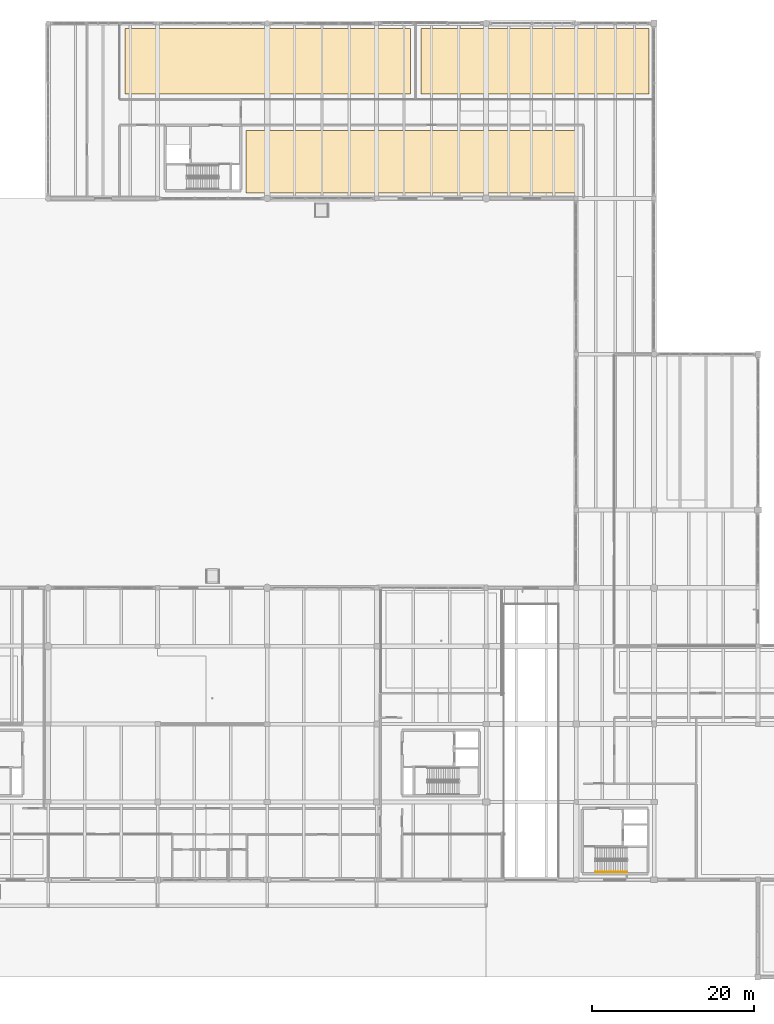
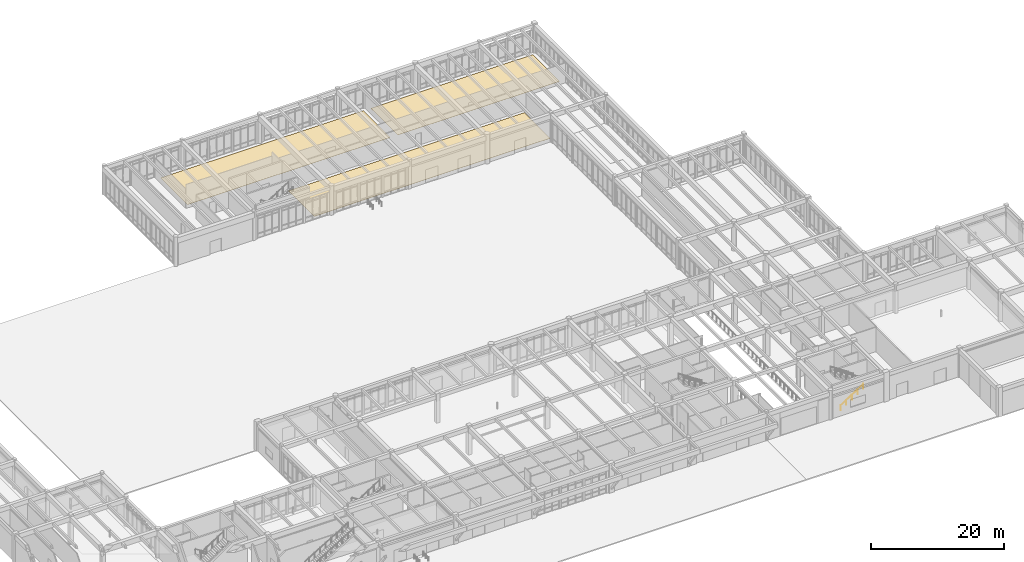
# One storey, part 135 of 138: 3 coverings, 1 railing.
"""IFC4 building model written with IfcOpenShell, lengths in metres."""

from ifc_helpers import new_model, si_unit, direction, frame, origin, origin_2d, place, context, subcontext, project, spatial, polyline, circle, outline, extrude, material, layer, layer_set, type_object, element, save


model = new_model("IFC4")

# Units and contexts
model_context = context("Model", 3, precision=1e-05, world=origin(), true_north=direction((0.0, 1.0)))
body_context = subcontext(model_context, "Body", "Model", "MODEL_VIEW")
ifc_project = project(units=[si_unit("LENGTHUNIT", "METRE"), si_unit("AREAUNIT", "SQUARE_METRE"), si_unit("VOLUMEUNIT", "CUBIC_METRE"), si_unit("PLANEANGLEUNIT", "RADIAN"), si_unit("MASSUNIT", "GRAM", prefix="KILO")], contexts=[model_context])

# Site, building, storey
site_placement = place(None, origin())
site = spatial("IfcSite", under=ifc_project, at=site_placement, CompositionType="ELEMENT")
building_placement = place(site_placement, origin())
building = spatial("IfcBuilding", under=site, at=building_placement, Name="Fikremerkos Civic Library", CompositionType="ELEMENT")
storey_placement = place(building_placement, origin())
storey = spatial("IfcBuildingStorey", under=building, at=storey_placement, Name="L00", CompositionType="ELEMENT", Elevation=0.0)

# Coverings
ifc_material_1 = material(Name="Polished basalt terrazzo", Category="masonry")
ifc_layer = layer(ifc_material_1, 0.030029296875, Name="Polished basalt terrazzo")
ifc_layer_set = layer_set([ifc_layer], Name="Polished basalt terrazzo")
covering_type = type_object("IfcCoveringType", Name="Polished basalt terrazzo flooring FLR-01", PredefinedType="FLOORING", material=ifc_layer_set)
covering_1_placement = place(storey_placement, origin())
element("IfcCovering", 1, at=covering_1_placement, inside=storey, type_object=covering_type, Name="Terrazzo floor finish Children's Library Hall", PredefinedType="FLOORING", context=body_context, shape_type="SweptSolid", body=[
    extrude(outline(polyline([(69.14990234375, 116.949951171875), (104.35009765625, 116.949951171875), (104.35009765625, 108.85009765625), (69.14990234375, 108.85009765625), (69.14990234375, 116.949951171875)])), origin(), (0.0, 0.0, 1.0), 0.030029296875),
])
covering_2_placement = place(storey_placement, origin())
element("IfcCovering", 2, at=covering_2_placement, inside=storey, type_object=covering_type, Name="Terrazzo floor finish Storytelling Room", PredefinedType="FLOORING", context=body_context, shape_type="SweptSolid", body=[
    extrude(outline(polyline([(105.64990234375, 116.949951171875), (133.75, 116.949951171875), (133.75, 108.85009765625), (105.64990234375, 108.85009765625), (105.64990234375, 116.949951171875)])), origin(), (0.0, 0.0, 1.0), 0.030029296875),
])
covering_3_placement = place(storey_placement, origin())
element("IfcCovering", 3, at=covering_3_placement, inside=storey, type_object=covering_type, Name="Terrazzo floor finish Youth Maker Studio", PredefinedType="FLOORING", context=body_context, shape_type="SweptSolid", body=[
    extrude(outline(polyline([(84.10009765625, 104.39990234375), (125.050048828125, 104.39990234375), (125.050048828125, 96.64990234375), (84.10009765625, 96.64990234375), (84.10009765625, 104.39990234375)])), origin(), (0.0, 0.0, 1.0), 0.030029296875),
])

# Railing
ifc_material_2 = material(Name="Brushed stainless steel", Category="steel")
railing_type = type_object("IfcRailingType", Name="Wall and flight handrail HRL-01 900", PredefinedType="HANDRAIL", material=ifc_material_2)
railing_placement = place(storey_placement, frame((127.14990234375, 12.949951171875, 0.179931640625)))
element("IfcRailing", 4, at=railing_placement, inside=storey, type_object=railing_type, Name="L00 ST-K4 stair handrail 1", PredefinedType="HANDRAIL", context=body_context, shape_type="SweptSolid", body=[
    extrude(circle(Radius=0.02392578125, at=origin_2d()), frame((0.0, 0.0, 0.8759765625), z_axis=(0.841186985886, 0.0, 0.540744352514), x_axis=(0.0, 1.0, 0.0)), (0.0, 0.0, 1.0), 4.660400390625),
    extrude(circle(Radius=0.02099609375, at=origin_2d()), origin(), (0.0, 0.0, 1.0), 0.851806640625),
    extrude(circle(Radius=0.02099609375, at=origin_2d()), frame((0.97998046875, 0.0, 0.6298828125)), (0.0, 0.0, 1.0), 0.851806640625),
    extrude(circle(Radius=0.02099609375, at=origin_2d()), frame((1.9599609375, 0.0, 1.260009765625)), (0.0, 0.0, 1.0), 0.851806640625),
    extrude(circle(Radius=0.02099609375, at=origin_2d()), frame((2.940185546875, 0.0, 1.89013671875)), (0.0, 0.0, 1.0), 0.851806640625),
    extrude(circle(Radius=0.02099609375, at=origin_2d()), frame((3.920166015625, 0.0, 2.52001953125)), (0.0, 0.0, 1.0), 0.851806640625),
])

save(model, "model.ifc")
